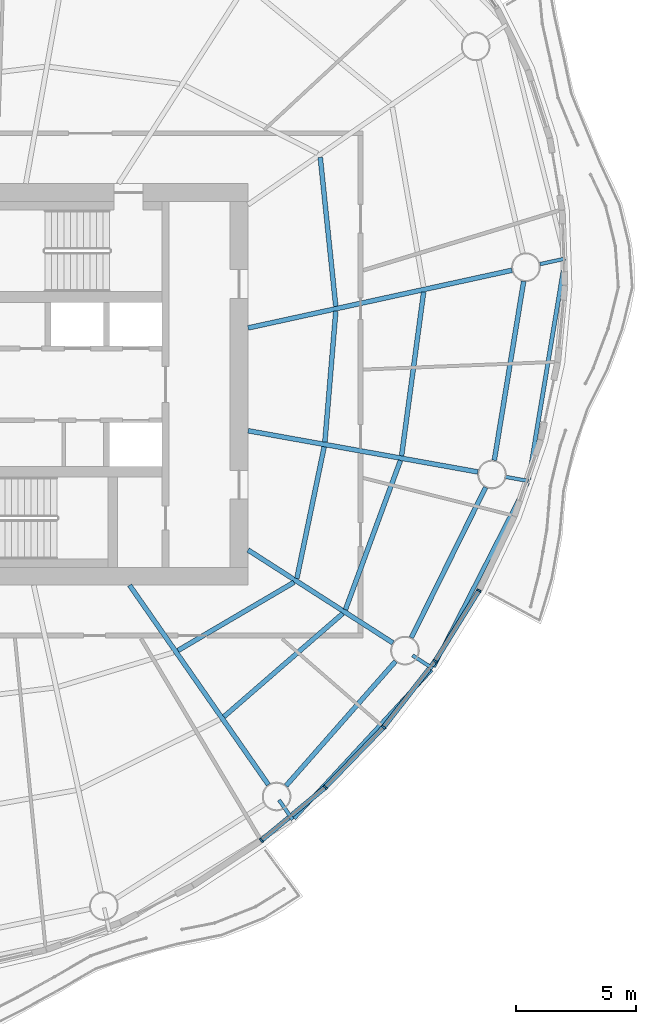
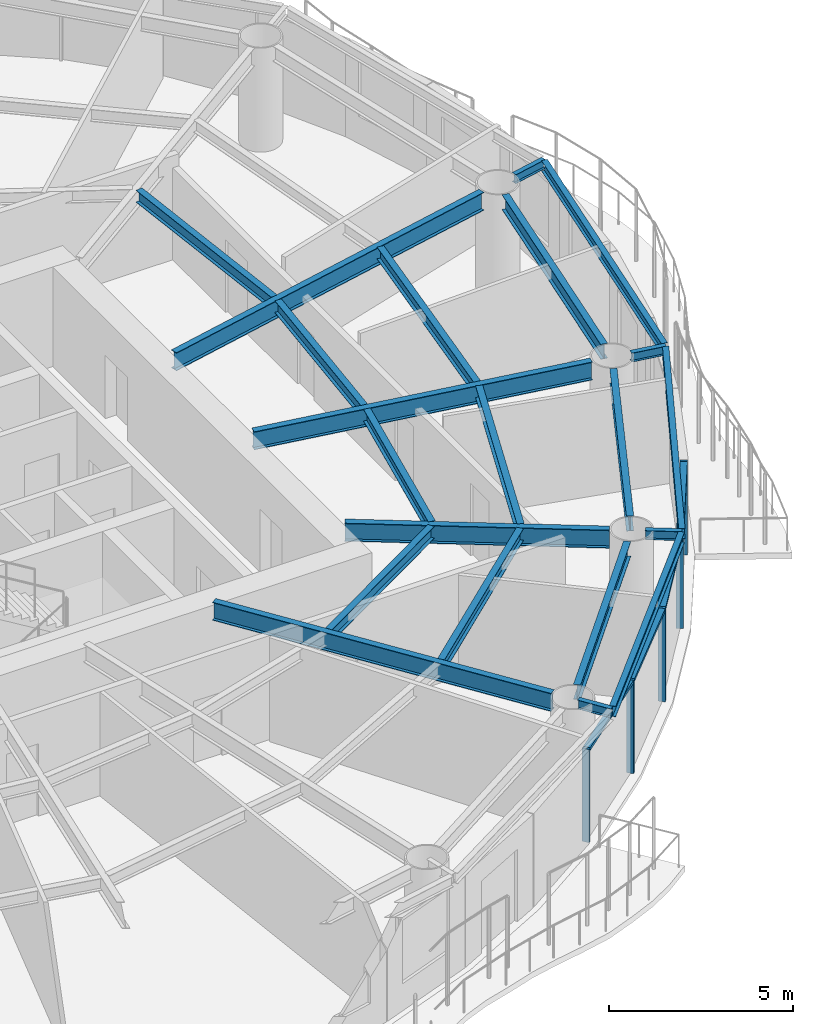
# One storey, part 4 of 14: 21 beams, 9 members, 4 elements without a shape of their own.
"""IFC4 building model written with IfcOpenShell, lengths in metres."""

from ifc_helpers import new_model, si_unit, direction, frame, origin, origin_2d, place, context, subcontext, project, spatial, rectangle, i_section, extrude, material, material_profile, profile_set, type_object, element, aggregate, save


model = new_model("IFC4")

# Units and contexts
model_context = context("Model", 3, precision=1e-05, world=origin(), true_north=direction((0.0, 1.0)))
body_context = subcontext(model_context, "Body", "Model", "MODEL_VIEW")
ifc_project = project(units=[si_unit("LENGTHUNIT", "METRE"), si_unit("AREAUNIT", "SQUARE_METRE"), si_unit("VOLUMEUNIT", "CUBIC_METRE"), si_unit("PLANEANGLEUNIT", "RADIAN"), si_unit("MASSUNIT", "GRAM", prefix="KILO")], contexts=[model_context])

# Site, building, storey
site_placement = place(None, origin())
site = spatial("IfcSite", under=ifc_project, at=site_placement, CompositionType="ELEMENT")
building_placement = place(site_placement, origin())
building = spatial("IfcBuilding", under=site, at=building_placement, Name="Vermilion Reach Broadcast Tower", CompositionType="ELEMENT")
storey_placement = place(building_placement, frame((0.0, 0.0, 228.10009765625)))
storey = spatial("IfcBuildingStorey", under=building, at=storey_placement, Name="L56", CompositionType="ELEMENT", Elevation=228.10009765625)

# Beams
ifc_material_1 = material(Name="Steel S355J2", Category="steel")
ifc_material_profile_1 = material_profile(ifc_material_1, i_section(OverallWidth=0.175048828125, OverallDepth=0.35009765625, WebThickness=0.007080078125, FlangeThickness=0.010986328125, at=origin_2d()), Name="S355J2 HN 350x175x7x11")
ifc_profile_set_1 = profile_set([ifc_material_profile_1], Name="Steel S355J2")
beam_type_1 = type_object("IfcBeamType", Name="EB4 HN 350x175x7x11", PredefinedType="BEAM", material=ifc_profile_set_1)
beam_1_placement = place(storey_placement, frame((6.718017578125, -18.147216796875, 3.27490234375), z_axis=(0.679139478593, 0.734009242869, 0.0), x_axis=(-0.734009242869, 0.679139478593, 0.0)))
element("IfcBeam", 1, at=beam_1_placement, inside=storey, type_object=beam_type_1, Name="Edge beam EB4-12", PredefinedType="BEAM", context=body_context, shape_type="SweptSolid", body=[
    extrude(i_section(OverallWidth=0.175048828125, OverallDepth=0.35009765625, WebThickness=0.007080078125, FlangeThickness=0.010986328125, at=origin_2d()), origin(), (0.0, 0.0, 1.0), 8.46728515625),
])
beam_2_placement = place(storey_placement, frame((12.5546875, -11.80908203125, 3.27490234375), z_axis=(0.455013039157, 0.890484774826, 0.0), x_axis=(-0.890484774826, 0.455013039157, 0.0)))
element("IfcBeam", 2, at=beam_2_placement, inside=storey, type_object=beam_type_1, Name="Edge beam EB4-13", PredefinedType="BEAM", context=body_context, shape_type="SweptSolid", body=[
    extrude(i_section(OverallWidth=0.175048828125, OverallDepth=0.35009765625, WebThickness=0.007080078125, FlangeThickness=0.010986328125, at=origin_2d()), origin(), (0.0, 0.0, 1.0), 8.6455078125),
])
beam_3_placement = place(storey_placement, frame((16.536376953125, -3.966552734375, 3.27490234375), z_axis=(0.163365532595, 0.986565609962, 0.0), x_axis=(-0.986565609962, 0.163365532595, 0.0)))
element("IfcBeam", 3, at=beam_3_placement, inside=storey, type_object=beam_type_1, Name="Edge beam EB4-14", PredefinedType="BEAM", context=body_context, shape_type="SweptSolid", body=[
    extrude(i_section(OverallWidth=0.175048828125, OverallDepth=0.35009765625, WebThickness=0.007080078125, FlangeThickness=0.010986328125, at=origin_2d()), origin(), (0.0, 0.0, 1.0), 9.271484375),
])
ifc_material_2 = material(Name="Steel S355J2", Category="steel")
ifc_material_profile_2 = material_profile(ifc_material_2, i_section(OverallWidth=0.199951171875, OverallDepth=0.60009765625, WebThickness=0.010986328125, FlangeThickness=0.01708984375, at=origin_2d()), Name="S355J2 HN 600x200x11x17")
ifc_profile_set_2 = profile_set([ifc_material_profile_2], Name="Steel S355J2")
beam_type_2 = type_object("IfcBeamType", Name="G4 HN 600x200x11x17", PredefinedType="BEAM", material=ifc_profile_set_2)
beam_4_placement = place(storey_placement, frame((-0.1552734375, -8.39990234375, 3.14990234375), z_axis=(0.571134149017, -0.8208567377, 0.0), x_axis=(0.8208567377, 0.571134149017, 0.0)))
element("IfcBeam", 4, at=beam_4_placement, inside=storey, type_object=beam_type_2, Name="Girder G4-12", PredefinedType="BEAM", context=body_context, shape_type="SweptSolid", body=[
    extrude(i_section(OverallWidth=0.199951171875, OverallDepth=0.60009765625, WebThickness=0.010986328125, FlangeThickness=0.01708984375, at=origin_2d()), origin(), (0.0, 0.0, 1.0), 10.16552734375),
])
beam_5_placement = place(storey_placement, frame((4.800048828125, -6.925537109375, 3.14990234375), z_axis=(0.841798504642, -0.539791883584, 0.0), x_axis=(0.539791883584, 0.841798504642, 0.0)))
element("IfcBeam", 5, at=beam_5_placement, inside=storey, type_object=beam_type_2, Name="Girder G4-13", PredefinedType="BEAM", context=body_context, shape_type="SweptSolid", body=[
    extrude(i_section(OverallWidth=0.199951171875, OverallDepth=0.60009765625, WebThickness=0.010986328125, FlangeThickness=0.01708984375, at=origin_2d()), origin(), (0.0, 0.0, 1.0), 7.1962890625),
])
beam_6_placement = place(storey_placement, frame((4.800048828125, -1.9375, 3.14990234375), z_axis=(0.984291153273, -0.176552897422, 0.0), x_axis=(0.176552897422, 0.984291153273, 0.0)))
element("IfcBeam", 6, at=beam_6_placement, inside=storey, type_object=beam_type_2, Name="Girder G4-14", PredefinedType="BEAM", context=body_context, shape_type="SweptSolid", body=[
    extrude(i_section(OverallWidth=0.199951171875, OverallDepth=0.60009765625, WebThickness=0.010986328125, FlangeThickness=0.01708984375, at=origin_2d()), origin(), (0.0, 0.0, 1.0), 9.765380859375),
])
beam_7_placement = place(storey_placement, frame((4.800048828125, 2.360595703125, 3.14990234375), z_axis=(0.976930175286, 0.213558967537, 0.0), x_axis=(-0.213558967537, 0.976930175286, 0.0)))
element("IfcBeam", 7, at=beam_7_placement, inside=storey, type_object=beam_type_2, Name="Girder G4-15", PredefinedType="BEAM", context=body_context, shape_type="SweptSolid", body=[
    extrude(i_section(OverallWidth=0.199951171875, OverallDepth=0.60009765625, WebThickness=0.010986328125, FlangeThickness=0.01708984375, at=origin_2d()), origin(), (0.0, 0.0, 1.0), 11.29833984375),
])
ifc_material_3 = material(Name="Steel S355J2", Category="steel")
ifc_material_profile_3 = material_profile(ifc_material_3, i_section(OverallWidth=0.14990234375, OverallDepth=0.300048828125, WebThickness=0.006591796875, FlangeThickness=0.009033203125, at=origin_2d()), Name="S355J2 HN 300x150x6.5x9")
ifc_profile_set_3 = profile_set([ifc_material_profile_3], Name="Steel S355J2")
beam_type_3 = type_object("IfcBeamType", Name="GS4 HN 300x150x6.5x9", PredefinedType="BEAM", material=ifc_profile_set_3)
for number, where, z_axis, x_axis, name in (
    (8, (6.0947265625, -17.382568359375, 3.2998046875), (0.571100256946, -0.820880318022, 0.0), (0.820880318022, 0.571100256946, 0.0), "Cantilever stub GS4-12"),
    (9, (11.678466796875, -11.33642578125, 3.2998046875), (0.841796649213, -0.539794777091, 0.0), (0.539794777091, 0.841796649213, 0.0), "Cantilever stub GS4-13"),
):
    element("IfcBeam", number, at=place(storey_placement, frame(where, z_axis=z_axis, x_axis=x_axis)), inside=storey, type_object=beam_type_3, Name=name, PredefinedType="BEAM", context=body_context, shape_type="SweptSolid", body=[
        extrude(i_section(OverallWidth=0.14990234375, OverallDepth=0.300048828125, WebThickness=0.006591796875, FlangeThickness=0.009033203125, at=origin_2d()), origin(), (0.0, 0.0, 1.0), 1.0),
    ])
beam_8_placement = place(storey_placement, frame((15.5400390625, -3.864013671875, 3.2998046875), z_axis=(0.984292973606, -0.176542748677, 0.0), x_axis=(0.176542748677, 0.984292973606, 0.0)))
element("IfcBeam", 10, at=beam_8_placement, inside=storey, type_object=beam_type_3, Name="Cantilever stub GS4-14", PredefinedType="BEAM", context=body_context, shape_type="SweptSolid", body=[
    extrude(i_section(OverallWidth=0.14990234375, OverallDepth=0.300048828125, WebThickness=0.006591796875, FlangeThickness=0.009033203125, at=origin_2d()), origin(), (0.0, 0.0, 1.0), 0.999755859375),
])
beam_9_placement = place(storey_placement, frame((17.009765625, 5.029541015625, 3.2998046875), z_axis=(0.976936893942, 0.213528230581, 0.0), x_axis=(-0.213528230581, 0.976936893942, 0.0)))
element("IfcBeam", 11, at=beam_9_placement, inside=storey, type_object=beam_type_3, Name="Cantilever stub GS4-15", PredefinedType="BEAM", context=body_context, shape_type="SweptSolid", body=[
    extrude(i_section(OverallWidth=0.14990234375, OverallDepth=0.300048828125, WebThickness=0.006591796875, FlangeThickness=0.009033203125, at=origin_2d()), origin(), (0.0, 0.0, 1.0), 1.079345703125),
])
ifc_material_4 = material(Name="Steel S355J2", Category="steel")
ifc_material_profile_4 = material_profile(ifc_material_4, i_section(OverallWidth=0.199951171875, OverallDepth=0.5, WebThickness=0.010009765625, FlangeThickness=0.01611328125, at=origin_2d()), Name="S355J2 HN 500x200x10x16")
ifc_profile_set_4 = profile_set([ifc_material_profile_4], Name="Steel S355J2")
beam_type_4 = type_object("IfcBeamType", Name="RB4 HN 500x200x10x16", PredefinedType="BEAM", material=ifc_profile_set_4)
beam_10_placement = place(storey_placement, frame((6.3896484375, -16.786376953125, 3.199951171875), z_axis=(0.660565141761, 0.750768735024, 0.0), x_axis=(-0.750768735024, 0.660565141761, 0.0)))
element("IfcBeam", 12, at=beam_10_placement, inside=storey, type_object=beam_type_4, Name="Ring beam RB4-12", PredefinedType="BEAM", context=body_context, shape_type="SweptSolid", body=[
    extrude(i_section(OverallWidth=0.199951171875, OverallDepth=0.5, WebThickness=0.010009765625, FlangeThickness=0.01611328125, at=origin_2d()), origin(), (0.0, 0.0, 1.0), 6.9287109375),
])
beam_11_placement = place(storey_placement, frame((11.628662109375, -10.595947265625, 3.199951171875), z_axis=(0.442977497199, 0.896532730566, 0.0), x_axis=(-0.896532730566, 0.442977497199, 0.0)))
element("IfcBeam", 13, at=beam_11_placement, inside=storey, type_object=beam_type_4, Name="Ring beam RB4-13", PredefinedType="BEAM", context=body_context, shape_type="SweptSolid", body=[
    extrude(i_section(OverallWidth=0.199951171875, OverallDepth=0.5, WebThickness=0.010009765625, FlangeThickness=0.01611328125, at=origin_2d()), origin(), (0.0, 0.0, 1.0), 7.0166015625),
])
beam_12_placement = place(storey_placement, frame((15.099609375, -3.175537109375, 3.199951171875), z_axis=(0.161778110263, 0.986827159659, 0.0), x_axis=(-0.986827159659, 0.161778110263, 0.0)))
element("IfcBeam", 14, at=beam_12_placement, inside=storey, type_object=beam_type_4, Name="Ring beam RB4-14", PredefinedType="BEAM", context=body_context, shape_type="SweptSolid", body=[
    extrude(i_section(OverallWidth=0.199951171875, OverallDepth=0.5, WebThickness=0.010009765625, FlangeThickness=0.01611328125, at=origin_2d()), origin(), (0.0, 0.0, 1.0), 7.584716796875),
])
ifc_material_5 = material(Name="Steel S355J2", Category="steel")
ifc_material_profile_5 = material_profile(ifc_material_5, i_section(OverallWidth=0.199951171875, OverallDepth=0.39990234375, WebThickness=0.008056640625, FlangeThickness=0.012939453125, at=origin_2d()), Name="S355J2 HN 400x200x8x13")
ifc_profile_set_5 = profile_set([ifc_material_profile_5], Name="Steel S355J2")
beam_type_5 = type_object("IfcBeamType", Name="SB4 HN 400x200x8x13", PredefinedType="BEAM", material=ifc_profile_set_5)
beam_13_placement = place(storey_placement, frame((1.866455078125, -11.130615234375, 3.25), z_axis=(0.862172572268, 0.506614701356, 0.0), x_axis=(-0.506614701356, 0.862172572268, 0.0)))
element("IfcBeam", 15, at=beam_13_placement, inside=storey, type_object=beam_type_5, Name="Secondary beam SB4-12-1", PredefinedType="BEAM", context=body_context, shape_type="SweptSolid", body=[
    extrude(i_section(OverallWidth=0.199951171875, OverallDepth=0.39990234375, WebThickness=0.008056640625, FlangeThickness=0.012939453125, at=origin_2d()), origin(), (0.0, 0.0, 1.0), 5.632568359375),
])
beam_14_placement = place(storey_placement, frame((3.791259765625, -13.89697265625, 3.25), z_axis=(0.755129308567, 0.655575874589, 0.0), x_axis=(-0.655575874589, 0.755129308567, 0.0)))
element("IfcBeam", 16, at=beam_14_placement, inside=storey, type_object=beam_type_5, Name="Secondary beam SB4-12-2", PredefinedType="BEAM", context=body_context, shape_type="SweptSolid", body=[
    extrude(i_section(OverallWidth=0.199951171875, OverallDepth=0.39990234375, WebThickness=0.008056640625, FlangeThickness=0.012939453125, at=origin_2d()), origin(), (0.0, 0.0, 1.0), 6.57958984375),
])
beam_15_placement = place(storey_placement, frame((6.841064453125, -8.115478515625, 3.25), z_axis=(0.20320860258, 0.979135467562, 0.0), x_axis=(-0.979135467562, 0.20320860258, 0.0)))
element("IfcBeam", 17, at=beam_15_placement, inside=storey, type_object=beam_type_5, Name="Secondary beam SB4-13-1", PredefinedType="BEAM", context=body_context, shape_type="SweptSolid", body=[
    extrude(i_section(OverallWidth=0.199951171875, OverallDepth=0.39990234375, WebThickness=0.008056640625, FlangeThickness=0.012939453125, at=origin_2d()), origin(), (0.0, 0.0, 1.0), 5.622802734375),
])
beam_16_placement = place(storey_placement, frame((8.8740234375, -9.419189453125, 3.25), z_axis=(0.345833008621, 0.938296078084, 0.0), x_axis=(-0.938296078084, 0.345833008621, 0.0)))
element("IfcBeam", 18, at=beam_16_placement, inside=storey, type_object=beam_type_5, Name="Secondary beam SB4-13-2", PredefinedType="BEAM", context=body_context, shape_type="SweptSolid", body=[
    extrude(i_section(OverallWidth=0.199951171875, OverallDepth=0.39990234375, WebThickness=0.008056640625, FlangeThickness=0.012939453125, at=origin_2d()), origin(), (0.0, 0.0, 1.0), 6.647216796875),
])
beam_17_placement = place(storey_placement, frame((8.012451171875, -2.412109375, 3.25), z_axis=(0.08339866655, 0.996516262997, 0.0), x_axis=(-0.996516262997, 0.08339866655, 0.0)))
element("IfcBeam", 19, at=beam_17_placement, inside=storey, type_object=beam_type_5, Name="Secondary beam SB4-14-1", PredefinedType="BEAM", context=body_context, shape_type="SweptSolid", body=[
    extrude(i_section(OverallWidth=0.199951171875, OverallDepth=0.39990234375, WebThickness=0.008056640625, FlangeThickness=0.012939453125, at=origin_2d()), origin(), (0.0, 0.0, 1.0), 5.49169921875),
])
beam_18_placement = place(storey_placement, frame((11.221435546875, -2.98779296875, 3.25), z_axis=(0.133486718782, 0.991050602093, 0.0), x_axis=(-0.991050602093, 0.133486718782, 0.0)))
element("IfcBeam", 20, at=beam_18_placement, inside=storey, type_object=beam_type_5, Name="Secondary beam SB4-14-2", PredefinedType="BEAM", context=body_context, shape_type="SweptSolid", body=[
    extrude(i_section(OverallWidth=0.199951171875, OverallDepth=0.39990234375, WebThickness=0.008056640625, FlangeThickness=0.012939453125, at=origin_2d()), origin(), (0.0, 0.0, 1.0), 6.913330078125),
])
beam_19_placement = place(storey_placement, frame((8.46875, 3.264892578125, 3.25), z_axis=(-0.103532173355, 0.994626105167, 0.0), x_axis=(-0.994626105167, -0.103532173355, 0.0)))
element("IfcBeam", 21, at=beam_19_placement, inside=storey, type_object=beam_type_5, Name="Secondary beam SB4-15-1", PredefinedType="BEAM", context=body_context, shape_type="SweptSolid", body=[
    extrude(i_section(OverallWidth=0.199951171875, OverallDepth=0.39990234375, WebThickness=0.008056640625, FlangeThickness=0.012939453125, at=origin_2d()), origin(), (0.0, 0.0, 1.0), 6.26318359375),
])

# Curtain wall, member
ifc_material_6 = material(Name="Low-e laminated clear glass in aluminium frame", Category="aluminium")
curtain_wall_type = type_object("IfcCurtainWallType", Name="Slot curtain wall", PredefinedType="NOTDEFINED", material=ifc_material_6)
placement = place(storey_placement, origin())
curtain_wall_1 = element("IfcCurtainWall", 22, at=placement, inside=storey, type_object=curtain_wall_type, Name="Slot curtain wall L56 34", PredefinedType="NOTDEFINED")
ifc_material_7 = material(Name="Anodised aluminium", Category="aluminium")
ifc_material_profile_6 = material_profile(ifc_material_7, rectangle(XDim=0.199951171875, YDim=0.080078125, at=origin_2d()), Name="Slot mullion 80 x 200")
ifc_profile_set_6 = profile_set([ifc_material_profile_6], Name="Anodised aluminium")
member_type_1 = type_object("IfcMemberType", Name="Slot mullion 80 x 200", PredefinedType="MULLION", material=ifc_profile_set_6)
member_1_placement = place(storey_placement, frame((5.357666015625, -19.071044921875, 0.0), z_axis=(0.0, 0.0, 1.0), x_axis=(-0.595650394105, 0.803243803588, 0.0)))
member_1 = element("IfcMember", 23, at=member_1_placement, type_object=member_type_1, Name="Slot mullion L56 34", PredefinedType="MULLION", context=body_context, shape_type="SweptSolid", body=[
    extrude(rectangle(XDim=0.199951171875, YDim=0.080078125, at=origin_2d()), origin(), (0.0, 0.0, 1.0), 3.099853515625),
])

curtain_wall_2 = element("IfcCurtainWall", 24, at=placement, inside=storey, type_object=curtain_wall_type, Name="Slot curtain wall L56 35", PredefinedType="NOTDEFINED")
member_2_placement = place(storey_placement, frame((8.033935546875, -16.848876953125, 0.0), z_axis=(0.0, 0.0, 1.0), x_axis=(-0.679365419419, 0.733800127349, 0.0)))
member_2 = element("IfcMember", 25, at=member_2_placement, type_object=member_type_1, Name="Slot mullion L56 35", PredefinedType="MULLION", context=body_context, shape_type="SweptSolid", body=[
    extrude(rectangle(XDim=0.199951171875, YDim=0.080078125, at=origin_2d()), origin(), (0.0, 0.0, 1.0), 3.099853515625),
])

curtain_wall_3 = element("IfcCurtainWall", 26, at=placement, inside=storey, type_object=curtain_wall_type, Name="Slot curtain wall L56 36", PredefinedType="NOTDEFINED")
member_3_placement = place(storey_placement, frame((10.469482421875, -14.3369140625, 0.0), z_axis=(0.0, 0.0, 1.0), x_axis=(-0.754251405661, 0.656585727121, 0.0)))
member_3 = element("IfcMember", 27, at=member_3_placement, type_object=member_type_1, Name="Slot mullion L56 36", PredefinedType="MULLION", context=body_context, shape_type="SweptSolid", body=[
    extrude(rectangle(XDim=0.199951171875, YDim=0.080078125, at=origin_2d()), origin(), (0.0, 0.0, 1.0), 3.099853515625),
])

# Curtain wall, members
curtain_wall_4 = element("IfcCurtainWall", 28, at=placement, inside=storey, type_object=curtain_wall_type, Name="Slot curtain wall L56 37", PredefinedType="NOTDEFINED")
member_4_placement = place(storey_placement, frame((12.621826171875, -11.57861328125, 0.0), z_axis=(0.0, 0.0, 1.0), x_axis=(-0.82041074826, 0.571774609562, 0.0)))
member_4 = element("IfcMember", 29, at=member_4_placement, type_object=member_type_1, Name="Slot mullion L56 37", PredefinedType="MULLION", context=body_context, shape_type="SweptSolid", body=[
    extrude(rectangle(XDim=0.199951171875, YDim=0.080078125, at=origin_2d()), origin(), (0.0, 0.0, 1.0), 3.099853515625),
])
member_5_placement = place(storey_placement, frame((14.4541015625, -8.621337890625, 0.0), z_axis=(0.0, 0.0, 1.0), x_axis=(-0.877656839986, 0.479289548421, 0.0)))
member_5 = element("IfcMember", 30, at=member_5_placement, type_object=member_type_1, Name="Slot mullion L56 38", PredefinedType="MULLION", context=body_context, shape_type="SweptSolid", body=[
    extrude(rectangle(XDim=0.199951171875, YDim=0.080078125, at=origin_2d()), origin(), (0.0, 0.0, 1.0), 3.099853515625),
])

# Member
ifc_material_8 = material(Name="Anodised aluminium", Category="aluminium")
ifc_material_profile_7 = material_profile(ifc_material_8, rectangle(XDim=0.199951171875, YDim=0.10009765625, at=origin_2d()), Name="Slot transom 200 x 100")
ifc_profile_set_7 = profile_set([ifc_material_profile_7], Name="Anodised aluminium")
member_type_2 = type_object("IfcMemberType", Name="Slot transom 200 x 100", PredefinedType="USERDEFINED", material=ifc_profile_set_7)
member_6_placement = place(storey_placement, frame((5.388427734375, -19.04541015625, 3.0498046875), z_axis=(0.769350596478, 0.638826783799, 0.0), x_axis=(-0.638826783799, 0.769350596478, 0.0)))
member_6 = element("IfcMember", 31, at=member_6_placement, type_object=member_type_2, Name="Slot transom L56 34.1", ObjectType="TRANSOM", PredefinedType="USERDEFINED", context=body_context, shape_type="SweptSolid", body=[
    extrude(rectangle(XDim=0.199951171875, YDim=0.10009765625, at=origin_2d()), origin(), (0.0, 0.0, 1.0), 3.398681640625),
])

aggregate(curtain_wall_1, [member_1, member_6])

member_7_placement = place(storey_placement, frame((8.061767578125, -16.820068359375, 3.0498046875), z_axis=(0.696096763865, 0.717947975369, 0.0), x_axis=(-0.717947975369, 0.696096763865, 0.0)))
member_7 = element("IfcMember", 32, at=member_7_placement, type_object=member_type_2, Name="Slot transom L56 35.1", ObjectType="TRANSOM", PredefinedType="USERDEFINED", context=body_context, shape_type="SweptSolid", body=[
    extrude(rectangle(XDim=0.199951171875, YDim=0.10009765625, at=origin_2d()), origin(), (0.0, 0.0, 1.0), 3.4189453125),
])

aggregate(curtain_wall_2, [member_2, member_7])

member_8_placement = place(storey_placement, frame((10.494140625, -14.305419921875, 3.0498046875), z_axis=(0.615156112034, 0.788405325849, 0.0), x_axis=(-0.788405325849, 0.615156112034, 0.0)))
member_8 = element("IfcMember", 33, at=member_8_placement, type_object=member_type_2, Name="Slot transom L56 36.1", ObjectType="TRANSOM", PredefinedType="USERDEFINED", context=body_context, shape_type="SweptSolid", body=[
    extrude(rectangle(XDim=0.199951171875, YDim=0.10009765625, at=origin_2d()), origin(), (0.0, 0.0, 1.0), 3.418701171875),
])

aggregate(curtain_wall_3, [member_3, member_8])

member_9_placement = place(storey_placement, frame((12.642822265625, -11.54443359375, 3.0498046875), z_axis=(0.526708218659, 0.850046147216, 0.0), x_axis=(-0.850046147216, 0.526708218659, 0.0)))
member_9 = element("IfcMember", 34, at=member_9_placement, type_object=member_type_2, Name="Slot transom L56 37.1", ObjectType="TRANSOM", PredefinedType="USERDEFINED", context=body_context, shape_type="SweptSolid", body=[
    extrude(rectangle(XDim=0.199951171875, YDim=0.10009765625, at=origin_2d()), origin(), (0.0, 0.0, 1.0), 3.3984375),
])

aggregate(curtain_wall_4, [member_4, member_5, member_9])

save(model, "model.ifc")
